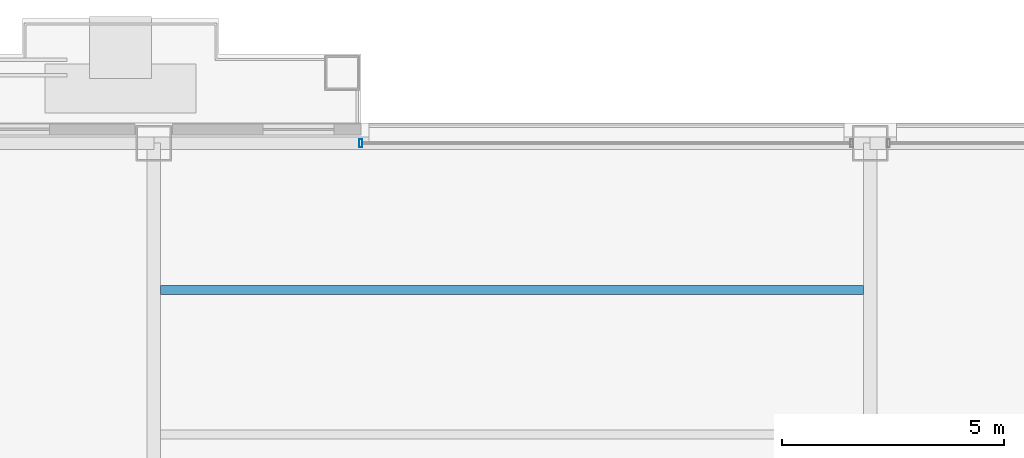
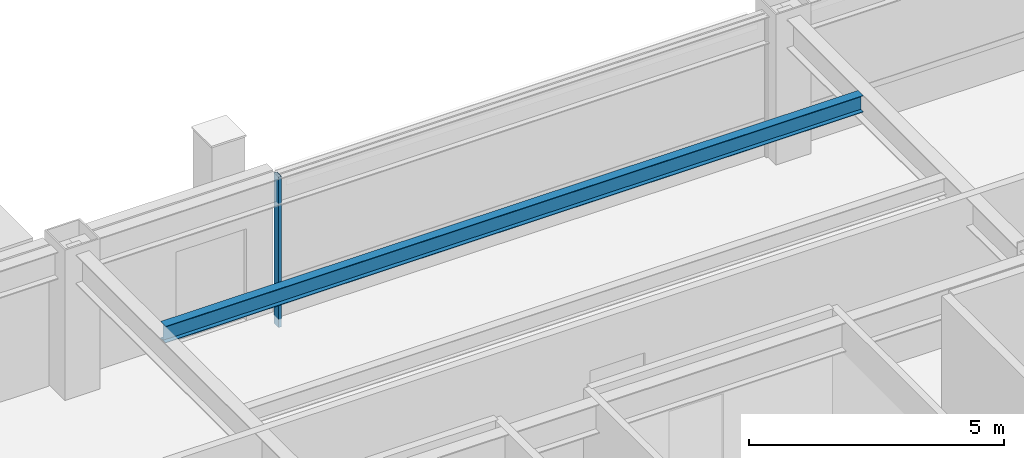
# One storey, part 19 of 29: 1 beam, 1 member, 1 element without a shape of its own.
"""IFC4 building model written with IfcOpenShell, lengths in metres."""

from ifc_helpers import new_model, si_unit, direction, frame, origin, origin_2d, place, context, subcontext, project, spatial, hollow_rectangle, i_section, extrude, material, layer, layer_set, material_profile, profile_set, type_object, element, aggregate, save


model = new_model("IFC4")

# Units and contexts
model_context = context("Model", 3, precision=1e-05, world=origin(), true_north=direction((0.0, 1.0)))
body_context = subcontext(model_context, "Body", "Model", "MODEL_VIEW")
ifc_project = project(units=[si_unit("LENGTHUNIT", "METRE"), si_unit("AREAUNIT", "SQUARE_METRE"), si_unit("VOLUMEUNIT", "CUBIC_METRE"), si_unit("PLANEANGLEUNIT", "RADIAN"), si_unit("MASSUNIT", "GRAM", prefix="KILO")], contexts=[model_context])

# Site, building, storey
site_placement = place(None, origin())
site = spatial("IfcSite", under=ifc_project, at=site_placement, CompositionType="ELEMENT")
building_placement = place(site_placement, origin())
building = spatial("IfcBuilding", under=site, at=building_placement, Name="Brelmoor Portico Tower", CompositionType="ELEMENT")
storey_placement = place(building_placement, frame((0.0, 0.0, 124.199951171875)))
storey = spatial("IfcBuildingStorey", under=building, at=storey_placement, Name="L32", CompositionType="ELEMENT", Elevation=124.199951171875)

# Beam
ifc_material_1 = material(Name="Steel Q355B", Category="steel")
ifc_material_profile_1 = material_profile(ifc_material_1, i_section(OverallWidth=0.199951171875, OverallDepth=0.39990234375, WebThickness=0.008056640625, FlangeThickness=0.012939453125, at=origin_2d()), Name="HN 400x200x8x13")
ifc_profile_set_1 = profile_set([ifc_material_profile_1], Name="Steel Q355B")
beam_type = type_object("IfcBeamType", Name="BM-JS-400", PredefinedType="JOIST", material=ifc_profile_set_1)
beam_placement = place(storey_placement, frame((-7.89990234375, 16.25, 3.199951171875), z_axis=(1.0, 0.0, 0.0), x_axis=(0.0, 1.0, 0.0)))
element("IfcBeam", 1, at=beam_placement, inside=storey, type_object=beam_type, Name="L32 Secondary Composite Joist JS-C04", PredefinedType="JOIST", context=body_context, shape_type="SweptSolid", body=[
    extrude(i_section(OverallWidth=0.199951171875, OverallDepth=0.39990234375, WebThickness=0.008056640625, FlangeThickness=0.012939453125, at=origin_2d()), origin(), (0.0, 0.0, 1.0), 15.7998046875),
])

# Curtain wall, member
ifc_material_2 = material(Name="Anodised Aluminium Alloy 6063-T6", Category="aluminium")
ifc_layer = layer(ifc_material_2, 0.179931640625)
ifc_layer_set = layer_set([ifc_layer], Name="Anodised Aluminium Alloy 6063-T6")
curtain_wall_type = type_object("IfcCurtainWallType", Name="CW-TOWER-Z2", PredefinedType="NOTDEFINED", material=ifc_layer_set)
curtain_wall_placement = place(storey_placement, origin())
curtain_wall = element("IfcCurtainWall", 2, at=curtain_wall_placement, inside=storey, type_object=curtain_wall_type, Name="L32 Curtain Wall CW-L32-2R-1", PredefinedType="NOTDEFINED")
ifc_material_profile_2 = material_profile(ifc_material_2, hollow_rectangle(XDim=0.06494140625, YDim=0.179931640625, WallThickness=0.00390625, at=origin_2d()), Name="ALU MULLION 65x180")
ifc_profile_set_2 = profile_set([ifc_material_profile_2], Name="Anodised Aluminium Alloy 6063-T6")
member_type = type_object("IfcMemberType", Name="MB-CW-MULL-180", PredefinedType="MULLION", material=ifc_profile_set_2)
member_placement = place(storey_placement, frame((-3.39990234375, 19.550048828125, -0.199951171875), z_axis=(0.0, 0.0, 1.0), x_axis=(1.0, 0.0, 0.0)))
member = element("IfcMember", 3, at=member_placement, type_object=member_type, Name="CW-L32-2R-1 Mullion 00", PredefinedType="MULLION", context=body_context, shape_type="SweptSolid", body=[
    extrude(hollow_rectangle(XDim=0.06494140625, YDim=0.179931640625, WallThickness=0.00390625, at=origin_2d()), origin(), (0.0, 0.0, 1.0), 3.60009765625),
])
aggregate(curtain_wall, [member])

save(model, "model.ifc")
